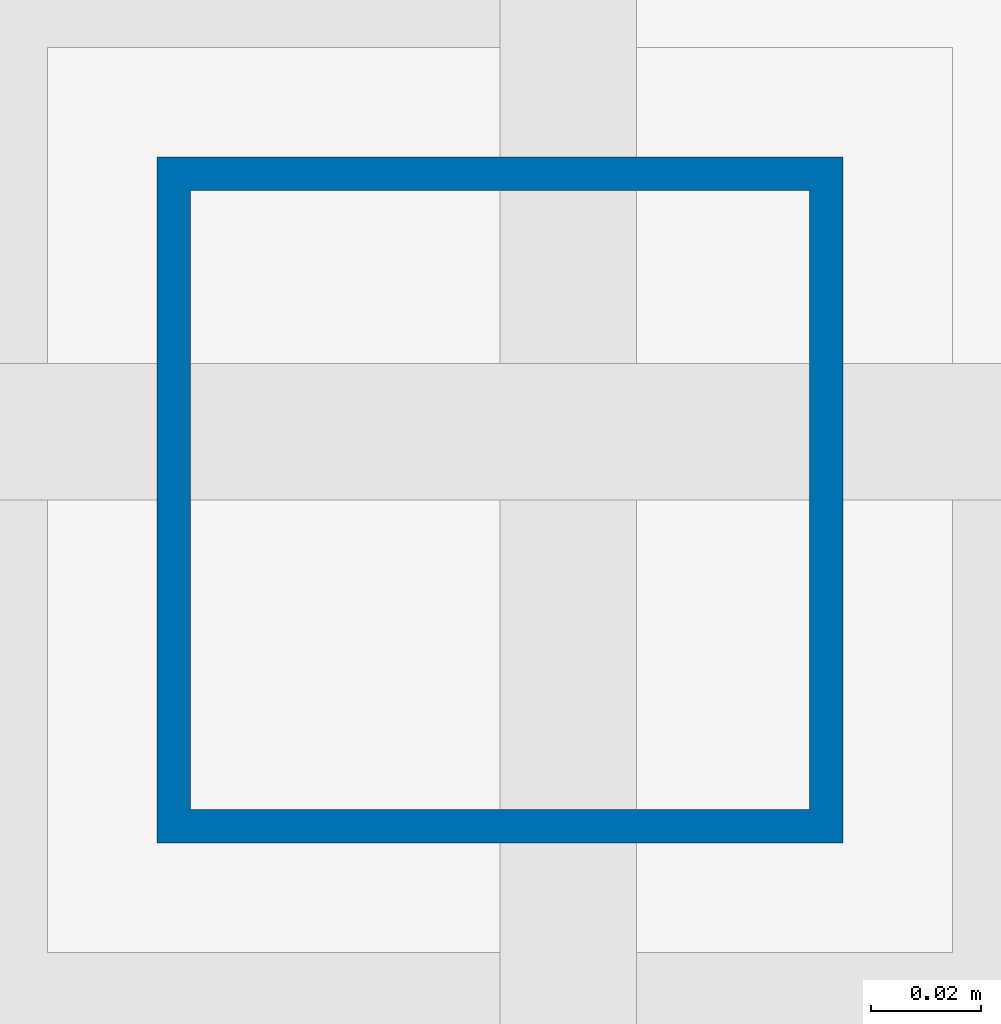
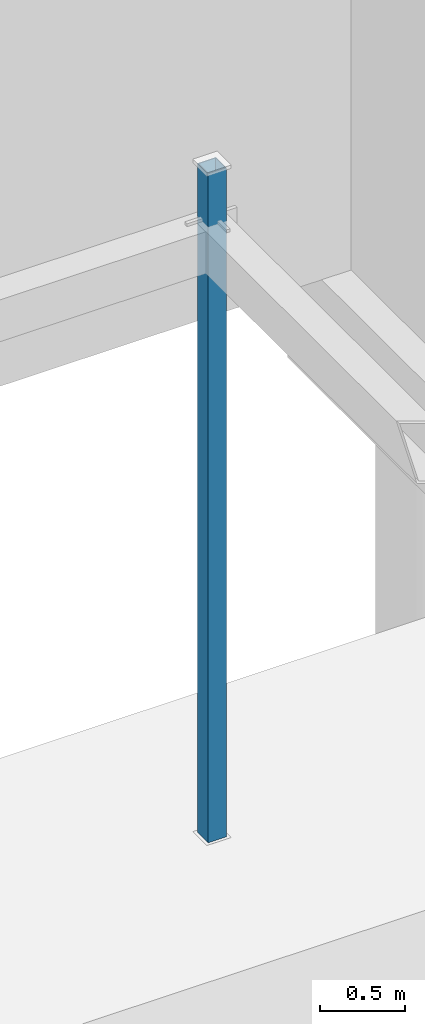
# One storey, part 77 of 136: 1 column.
"""IFC4 building model written with IfcOpenShell, lengths in metres."""

from ifc_helpers import new_model, si_unit, direction, frame, origin, origin_2d, place, context, subcontext, project, spatial, hollow_rectangle, extrude, material, material_profile, profile_set, type_object, element, save


model = new_model("IFC4")

# Units and contexts
model_context = context("Model", 3, precision=1e-05, world=origin(), true_north=direction((0.0, 1.0)))
body_context = subcontext(model_context, "Body", "Model", "MODEL_VIEW")
ifc_project = project(units=[si_unit("LENGTHUNIT", "METRE"), si_unit("AREAUNIT", "SQUARE_METRE"), si_unit("VOLUMEUNIT", "CUBIC_METRE"), si_unit("PLANEANGLEUNIT", "RADIAN"), si_unit("MASSUNIT", "GRAM", prefix="KILO")], contexts=[model_context])

# Site, building, storey
site_placement = place(None, origin())
site = spatial("IfcSite", under=ifc_project, at=site_placement, CompositionType="ELEMENT")
building_placement = place(site_placement, origin())
building = spatial("IfcBuilding", under=site, at=building_placement, Name="Tarnwether General Hospital", CompositionType="ELEMENT")
storey_placement = place(building_placement, frame((0.0, 0.0, -4.800048828125)))
storey = spatial("IfcBuildingStorey", under=building, at=storey_placement, Name="LG", CompositionType="ELEMENT", Elevation=-4.800048828125)

# Column
ifc_material = material(Name="Steel Grade C350L0 (350 MPa)", Category="steel")
ifc_material_profile = material_profile(ifc_material, hollow_rectangle(XDim=0.125, YDim=0.125, WallThickness=0.006103515625, at=origin_2d()), Name="SHS125x125x6")
ifc_profile_set = profile_set([ifc_material_profile], Name="Steel Grade C350L0 (350 MPa)")
column_type = type_object("IfcColumnType", Name="COL-34", PredefinedType="COLUMN", material=ifc_profile_set)
column_placement = place(storey_placement, frame((192.0, 126.0, 0.0), z_axis=(0.0, 0.0, 1.0), x_axis=(1.0, 0.0, 0.0)))
element("IfcColumn", 1, at=column_placement, inside=storey, type_object=column_type, Name="Column COLG-LG-19200_12600", PredefinedType="COLUMN", context=body_context, shape_type="SweptSolid", body=[
    extrude(hollow_rectangle(XDim=0.125, YDim=0.125, WallThickness=0.006103515625, at=origin_2d()), origin(), (0.0, 0.0, 1.0), 4.800048828125),
])

save(model, "model.ifc")
